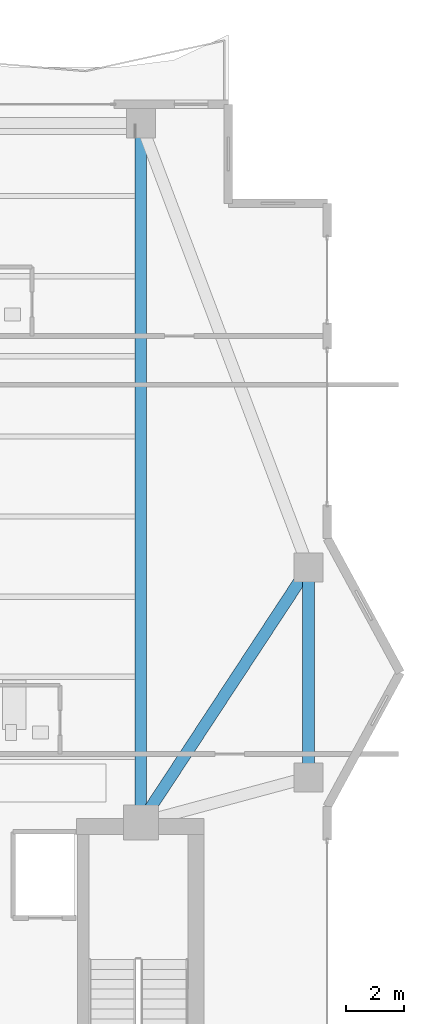
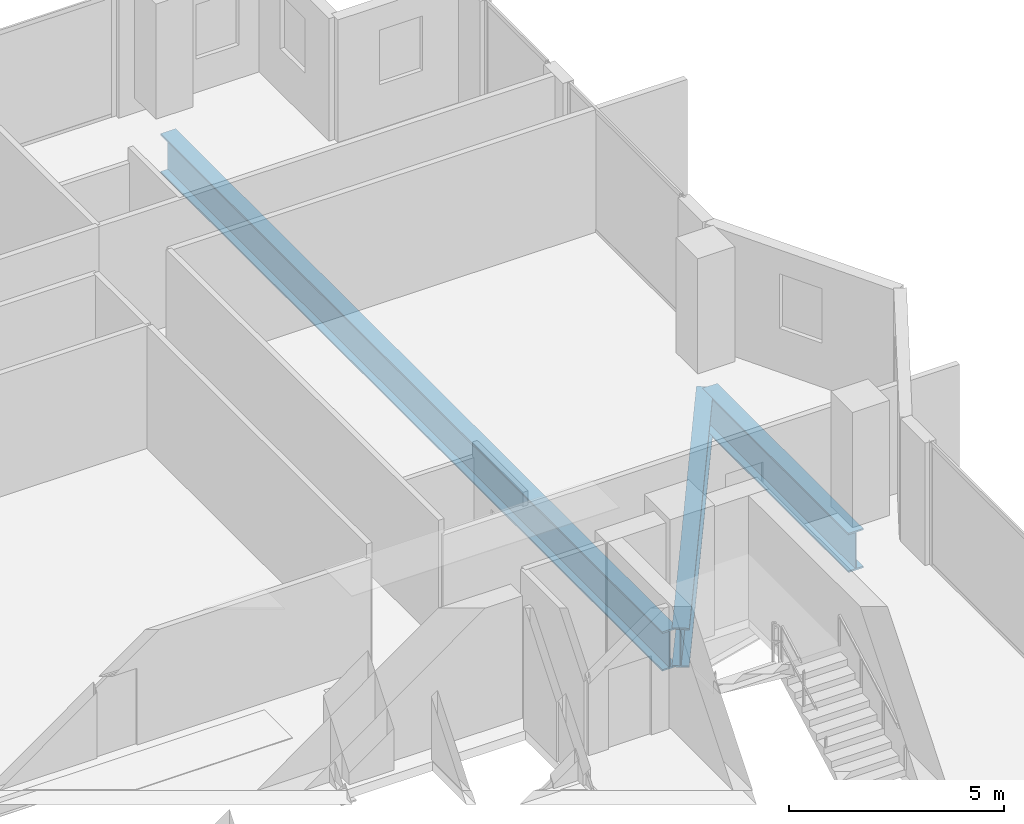
# One storey, part 11 of 28: 3 beams.
"""IFC4 building model written with IfcOpenShell, lengths in metres."""

from ifc_helpers import new_model, si_unit, direction, frame, origin, origin_2d, place, context, subcontext, project, spatial, i_section, extrude, material, material_profile, profile_set, type_object, element, save


model = new_model("IFC4")

# Units and contexts
model_context = context("Model", 3, precision=1e-05, world=origin(), true_north=direction((0.0, 1.0)))
body_context = subcontext(model_context, "Body", "Model", "MODEL_VIEW")
ifc_project = project(units=[si_unit("LENGTHUNIT", "METRE"), si_unit("AREAUNIT", "SQUARE_METRE"), si_unit("VOLUMEUNIT", "CUBIC_METRE"), si_unit("PLANEANGLEUNIT", "RADIAN"), si_unit("MASSUNIT", "GRAM", prefix="KILO")], contexts=[model_context])

# Site, building, storey
site_placement = place(None, origin())
site = spatial("IfcSite", under=ifc_project, at=site_placement, CompositionType="ELEMENT")
building_placement = place(site_placement, origin())
building = spatial("IfcBuilding", under=site, at=building_placement, Name="Zuhayl Quay Hotel", CompositionType="ELEMENT")
storey_placement = place(building_placement, frame((0.0, 0.0, 239.64990234375)))
storey = spatial("IfcBuildingStorey", under=building, at=storey_placement, Name="L60", CompositionType="ELEMENT", Elevation=239.64990234375)

# Beams
ifc_material = material(Name="Steel ASTM A913 Grade 65", Category="steel")
ifc_material_profile = material_profile(ifc_material, i_section(OverallWidth=0.404052734375, OverallDepth=1.117919921875, WebThickness=0.026123046875, FlangeThickness=0.044921875, at=origin_2d()), Name="W44X335")
ifc_profile_set = profile_set([ifc_material_profile], Name="Steel ASTM A913 Grade 65")
beam_type = type_object("IfcBeamType", Name="BM_TG1_W44X335", PredefinedType="BEAM", material=ifc_profile_set)
beam_1_placement = place(storey_placement, frame((19.550048828125, 16.10009765625, -0.81884765625), z_axis=(0.0, 1.0, 0.0), x_axis=(-1.0, 0.0, 0.0)))
element("IfcBeam", 1, at=beam_1_placement, inside=storey, type_object=beam_type, Name="L60 Floor Beam RG_L60_05", PredefinedType="BEAM", context=body_context, shape_type="SweptSolid", body=[
    extrude(i_section(OverallWidth=0.404052734375, OverallDepth=1.117919921875, WebThickness=0.026123046875, FlangeThickness=0.044921875, at=origin_2d()), origin(), (0.0, 0.0, 1.0), 6.7998046875),
])
beam_2_placement = place(storey_placement, frame((13.800048828125, 14.800048828125, -0.81884765625), z_axis=(0.0, 1.0, 0.0), x_axis=(-1.0, 0.0, 0.0)))
element("IfcBeam", 2, at=beam_2_placement, inside=storey, type_object=beam_type, Name="L60 Floor Beam FG_N_L60_4", PredefinedType="BEAM", context=body_context, shape_type="SweptSolid", body=[
    extrude(i_section(OverallWidth=0.404052734375, OverallDepth=1.117919921875, WebThickness=0.026123046875, FlangeThickness=0.044921875, at=origin_2d()), origin(), (0.0, 0.0, 1.0), 23.349853515625),
])
beam_3_placement = place(storey_placement, frame((14.047119140625, 14.72607421875, -0.81884765625), z_axis=(0.549180367093, 0.835703849698, 0.0), x_axis=(-0.835703849698, 0.549180367093, 0.0)))
element("IfcBeam", 3, at=beam_3_placement, inside=storey, type_object=beam_type, Name="L60 Floor Beam FG_E_L60_2", PredefinedType="BEAM", context=body_context, shape_type="SweptSolid", body=[
    extrude(i_section(OverallWidth=0.404052734375, OverallDepth=1.117919921875, WebThickness=0.026123046875, FlangeThickness=0.044921875, at=origin_2d()), origin(), (0.0, 0.0, 1.0), 9.8203125),
])

save(model, "model.ifc")
